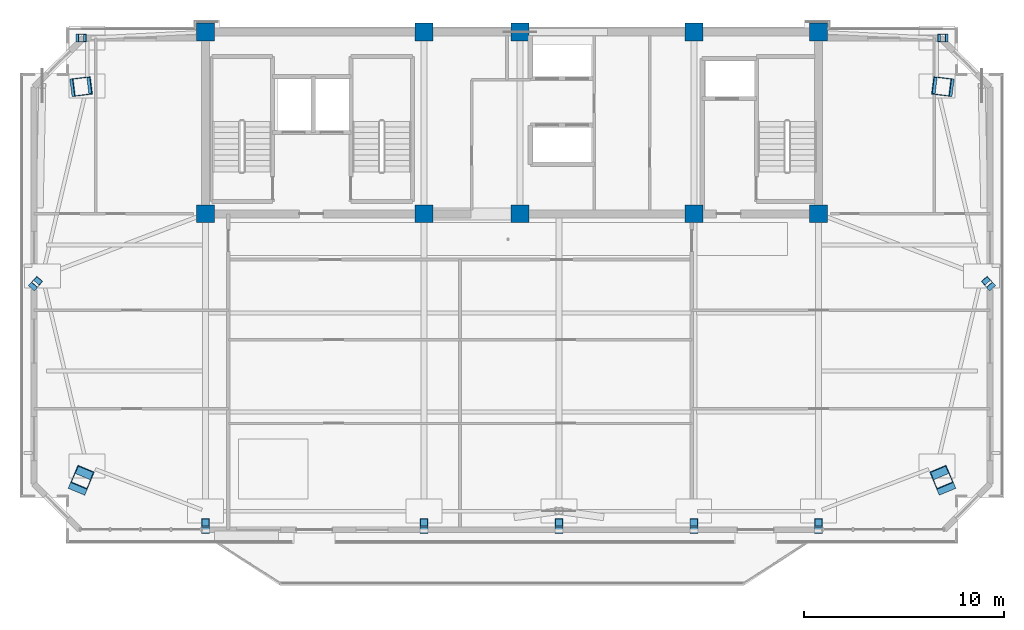
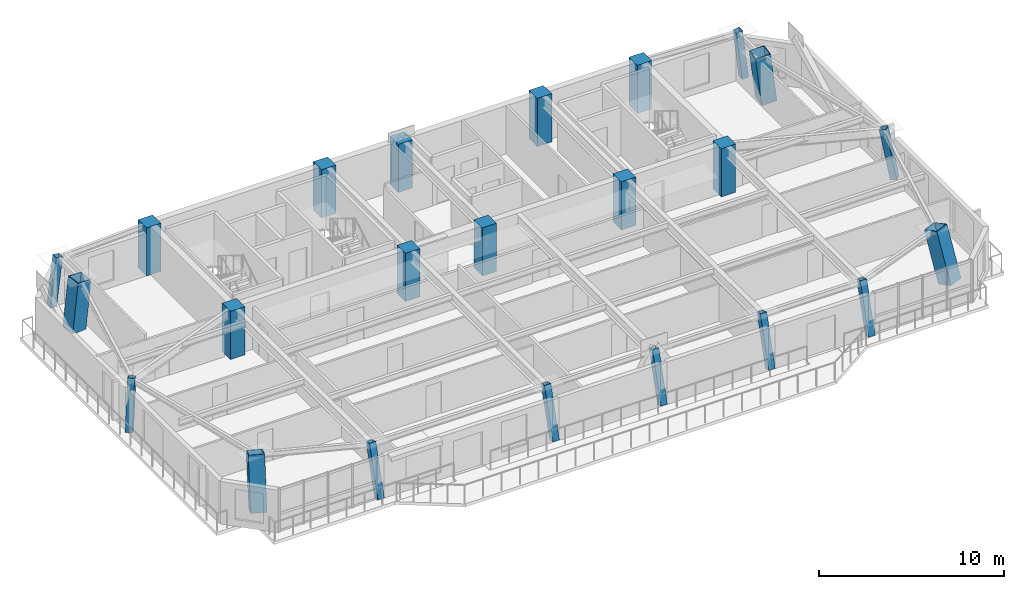
# One storey, part 1 of 13: 23 columns.
"""IFC4 building model written with IfcOpenShell, lengths in metres."""

from ifc_helpers import new_model, si_unit, direction, frame, origin, origin_2d, place, context, subcontext, project, spatial, rectangle, hollow_rectangle, extrude, source, transform, mapped, material, material_profile, profile_set, type_object, element, save


model = new_model("IFC4")

# Units and contexts
model_context = context("Model", 3, precision=1e-05, world=origin(), true_north=direction((0.0, 1.0)))
body_context = subcontext(model_context, "Body", "Model", "MODEL_VIEW")
ifc_project = project(units=[si_unit("LENGTHUNIT", "METRE"), si_unit("AREAUNIT", "SQUARE_METRE"), si_unit("VOLUMEUNIT", "CUBIC_METRE"), si_unit("PLANEANGLEUNIT", "RADIAN"), si_unit("MASSUNIT", "GRAM", prefix="KILO")], contexts=[model_context])

# Site, building, storey
site_placement = place(None, origin())
site = spatial("IfcSite", under=ifc_project, at=site_placement, CompositionType="ELEMENT")
building_placement = place(site_placement, origin())
building = spatial("IfcBuilding", under=site, at=building_placement, Name="Giltprow Tower", CompositionType="ELEMENT")
storey_placement = place(building_placement, frame((0.0, 0.0, 332.300048828125)))
storey = spatial("IfcBuildingStorey", under=building, at=storey_placement, Name="L86", CompositionType="ELEMENT", Elevation=332.300048828125)

# Columns
ifc_material_1 = material(Name="Concrete C45", Category="concrete")
ifc_material_profile_1 = material_profile(ifc_material_1, rectangle(XDim=0.89990234375, YDim=0.89990234375, at=origin_2d()), Name="RC 900x900")
ifc_profile_set_1 = profile_set([ifc_material_profile_1], Name="Concrete C45")
column_type_1 = type_object("IfcColumnType", Name="PIL-RC-900-C45", PredefinedType="PILASTER", material=ifc_profile_set_1)
shared_shape_1 = source(origin(), body_context, "Body", "SweptSolid", [
    extrude(rectangle(XDim=0.89990234375, YDim=0.89990234375, at=origin_2d()), origin(), (0.0, 0.0, 1.0), 3.18505859375),
])
for number, where, z_axis, x_axis, name in (
    (1, (19.85009765625, 37.449951171875, 0.0), (0.0, 0.0, 1.0), (1.0, 0.0, 0.0), "L86 Core Boundary Pilaster 1-1"),
    (2, (19.85009765625, 46.550048828125, 0.0), (0.0, 0.0, 1.0), (1.0, 0.0, 0.0), "L86 Core Boundary Pilaster 1-2"),
    (3, (30.800048828125, 37.449951171875, 0.0), (0.0, 0.0, 1.0), (1.0, 0.0, 0.0), "L86 Core Boundary Pilaster 2-1"),
    (4, (30.800048828125, 46.550048828125, 0.0), (0.0, 0.0, 1.0), (1.0, 0.0, 0.0), "L86 Core Boundary Pilaster 2-2"),
    (5, (35.60009765625, 37.449951171875, 0.0), (0.0, 0.0, 1.0), (1.0, 0.0, 0.0), "L86 Core Boundary Pilaster 3-1"),
    (6, (35.60009765625, 46.550048828125, 0.0), (0.0, 0.0, 1.0), (1.0, 0.0, 0.0), "L86 Core Boundary Pilaster 3-2"),
    (7, (44.300048828125, 37.449951171875, 0.0), (0.0, 0.0, 1.0), (1.0, 0.0, 0.0), "L86 Core Boundary Pilaster 4-1"),
    (8, (44.300048828125, 46.550048828125, 0.0), (0.0, 0.0, 1.0), (1.0, 0.0, 0.0), "L86 Core Boundary Pilaster 4-2"),
    (9, (50.550048828125, 37.449951171875, 0.0), (0.0, 0.0, 1.0), (1.0, 0.0, 0.0), "L86 Core Boundary Pilaster 5-1"),
    (10, (50.550048828125, 46.550048828125, 0.0), (0.0, 0.0, 1.0), (1.0, 0.0, 0.0), "L86 Core Boundary Pilaster 5-2"),
):
    element("IfcColumn", number, at=place(storey_placement, frame(where, z_axis=z_axis, x_axis=x_axis)), inside=storey, type_object=column_type_1, Name=name, PredefinedType="PILASTER", context=body_context, shape_type="MappedRepresentation", body=[
        mapped(shared_shape_1, transform((0.0, 0.0, 0.0), x_axis=(1.0, 0.0, 0.0), y_axis=(0.0, 1.0, 0.0), z_axis=(0.0, 0.0, 1.0), scale=1.0)),
    ])
ifc_material_2 = material(Name="Structural steel Q420GJC", Category="steel")
ifc_material_profile_2 = material_profile(ifc_material_2, hollow_rectangle(XDim=0.89990234375, YDim=0.89990234375, WallThickness=0.0400390625, at=origin_2d()), Name="BOX 900x900x40")
ifc_profile_set_2 = profile_set([ifc_material_profile_2], Name="Structural steel Q420GJC")
column_type_2 = type_object("IfcColumnType", Name="COL-BOX-900x900x40", PredefinedType="COLUMN", material=ifc_profile_set_2)
shared_shape_2 = source(origin(), body_context, "Body", "SweptSolid", [
    extrude(hollow_rectangle(XDim=0.89990234375, YDim=0.89990234375, WallThickness=0.0400390625, at=origin_2d()), origin(), (0.0, 0.0, 1.0), 3.32666015625),
])
column_1_placement = place(storey_placement, frame((56.839111328125, 23.927978515625, 0.0), z_axis=(-0.111258447517, 0.266330412954, 0.957439120254), x_axis=(-0.922722971107, -0.38546377079, 0.0)))
element("IfcColumn", 11, at=column_1_placement, inside=storey, type_object=column_type_2, Name="L86 Mega-Column MC_SE", PredefinedType="COLUMN", context=body_context, shape_type="MappedRepresentation", body=[
    mapped(shared_shape_2, transform((0.0, 0.0, 0.0), x_axis=(1.0, 0.0, 0.0), y_axis=(0.0, 1.0, 0.0), z_axis=(0.0, 0.0, 1.0), scale=1.0)),
])
shared_shape_3 = source(origin(), body_context, "Body", "SweptSolid", [
    extrude(hollow_rectangle(XDim=0.89990234375, YDim=0.89990234375, WallThickness=0.0400390625, at=origin_2d()), origin(), (0.0, 0.0, 1.0), 3.206787109375),
])
for number, where, z_axis, x_axis, name in (
    (12, (13.56201171875, 43.80810546875, 0.0), (0.115040045039, 0.01431338747, 0.993257728375), (-0.1234688995, 0.99234844226, 0.0), "L86 Mega-Column MC_NW"),
    (13, (56.839111328125, 43.80810546875, 0.0), (-0.1154156576, 0.01431275965, 0.993214161645), (-0.123067857845, -0.992398257942, 0.0), "L86 Mega-Column MC_NE"),
):
    element("IfcColumn", number, at=place(storey_placement, frame(where, z_axis=z_axis, x_axis=x_axis)), inside=storey, type_object=column_type_2, Name=name, PredefinedType="COLUMN", context=body_context, shape_type="MappedRepresentation", body=[
        mapped(shared_shape_3, transform((0.0, 0.0, 0.0), x_axis=(1.0, 0.0, 0.0), y_axis=(0.0, 1.0, 0.0), z_axis=(0.0, 0.0, 1.0), scale=1.0)),
    ])
ifc_material_3 = material(Name="Structural steel Q355B", Category="steel")
ifc_material_profile_3 = material_profile(ifc_material_3, hollow_rectangle(XDim=0.39990234375, YDim=0.39990234375, WallThickness=0.02001953125, at=origin_2d()), Name="BOX 400x400x20")
ifc_profile_set_3 = profile_set([ifc_material_profile_3], Name="Structural steel Q355B")
column_type_3 = type_object("IfcColumnType", Name="COL-BOX-400x400x20", PredefinedType="COLUMN", material=ifc_profile_set_3)
shared_shape_4 = source(origin(), body_context, "Body", "SweptSolid", [
    extrude(hollow_rectangle(XDim=0.39990234375, YDim=0.39990234375, WallThickness=0.02001953125, at=origin_2d()), origin(), (0.0, 0.0, 1.0), 3.318603515625),
])
for number, where, z_axis, x_axis, name in (
    (14, (19.85009765625, 21.635986328125, 0.0), (0.0, 0.280875615119, 0.959744178847), (-1.0, 0.0, 0.0), "L86 Perimeter Column S1"),
    (15, (30.800048828125, 21.635986328125, 0.0), (0.0, 0.280875615119, 0.959744178847), (-1.0, 0.0, 0.0), "L86 Perimeter Column S2"),
    (16, (37.550048828125, 21.635986328125, 0.0), (0.0, 0.280875615119, 0.959744178847), (-1.0, 0.0, 0.0), "L86 Perimeter Column S_MID"),
    (17, (44.300048828125, 21.635986328125, 0.0), (0.0, 0.280875615119, 0.959744178847), (-1.0, 0.0, 0.0), "L86 Perimeter Column S3"),
    (18, (50.550048828125, 21.635986328125, 0.0), (0.0, 0.280875615119, 0.959744178847), (-1.0, 0.0, 0.0), "L86 Perimeter Column S4"),
):
    element("IfcColumn", number, at=place(storey_placement, frame(where, z_axis=z_axis, x_axis=x_axis)), inside=storey, type_object=column_type_3, Name=name, PredefinedType="COLUMN", context=body_context, shape_type="MappedRepresentation", body=[
        mapped(shared_shape_4, transform((0.0, 0.0, 0.0), x_axis=(1.0, 0.0, 0.0), y_axis=(0.0, 1.0, 0.0), z_axis=(0.0, 0.0, 1.0), scale=1.0)),
    ])
shared_shape_5 = source(origin(), body_context, "Body", "SweptSolid", [
    extrude(hollow_rectangle(XDim=0.39990234375, YDim=0.39990234375, WallThickness=0.02001953125, at=origin_2d()), origin(), (0.0, 0.0, 1.0), 3.24560546875),
])
column_2_placement = place(storey_placement, frame((11.27001953125, 33.867919921875, 0.0), z_axis=(0.127876528395, 0.143597819239, 0.981339523201), x_axis=(-0.746804669772, 0.665043446104, 0.0)))
element("IfcColumn", 19, at=column_2_placement, inside=storey, type_object=column_type_3, Name="L86 Perimeter Column W_MID", PredefinedType="COLUMN", context=body_context, shape_type="MappedRepresentation", body=[
    mapped(shared_shape_5, transform((0.0, 0.0, 0.0), x_axis=(1.0, 0.0, 0.0), y_axis=(0.0, 1.0, 0.0), z_axis=(0.0, 0.0, 1.0), scale=1.0)),
])
shared_shape_6 = source(origin(), body_context, "Body", "SweptSolid", [
    extrude(hollow_rectangle(XDim=0.39990234375, YDim=0.39990234375, WallThickness=0.02001953125, at=origin_2d()), origin(), (0.0, 0.0, 1.0), 3.206298828125),
])
column_3_placement = place(storey_placement, frame((13.56201171875, 46.25, 0.0), z_axis=(0.115051831153, 0.0, 0.993359489887), x_axis=(0.0, 1.0, 0.0)))
element("IfcColumn", 20, at=column_3_placement, inside=storey, type_object=column_type_3, Name="L86 Perimeter Column N_W", PredefinedType="COLUMN", context=body_context, shape_type="MappedRepresentation", body=[
    mapped(shared_shape_6, transform((0.0, 0.0, 0.0), x_axis=(1.0, 0.0, 0.0), y_axis=(0.0, 1.0, 0.0), z_axis=(0.0, 0.0, 1.0), scale=1.0)),
])
shared_shape_7 = source(origin(), body_context, "Body", "SweptSolid", [
    extrude(hollow_rectangle(XDim=0.89990234375, YDim=0.89990234375, WallThickness=0.0400390625, at=origin_2d()), origin(), (0.0, 0.0, 1.0), 3.326416015625),
])
column_4_placement = place(storey_placement, frame((13.56201171875, 23.927978515625, 0.0), z_axis=(0.110896020197, 0.266341268892, 0.957478146586), x_axis=(-0.92317473482, 0.384380552305, 0.0)))
element("IfcColumn", 21, at=column_4_placement, inside=storey, type_object=column_type_2, Name="L86 Mega-Column MC_SW", PredefinedType="COLUMN", context=body_context, shape_type="MappedRepresentation", body=[
    mapped(shared_shape_7, transform((0.0, 0.0, 0.0), x_axis=(1.0, 0.0, 0.0), y_axis=(0.0, 1.0, 0.0), z_axis=(0.0, 0.0, 1.0), scale=1.0)),
])
shared_shape_8 = source(origin(), body_context, "Body", "SweptSolid", [
    extrude(hollow_rectangle(XDim=0.39990234375, YDim=0.39990234375, WallThickness=0.02001953125, at=origin_2d()), origin(), (0.0, 0.0, 1.0), 3.245849609375),
])
column_5_placement = place(storey_placement, frame((59.131103515625, 33.867919921875, 0.0), z_axis=(-0.128172477041, 0.143592287953, 0.981301722698), x_axis=(-0.746027795602, -0.665914805504, 0.0)))
element("IfcColumn", 22, at=column_5_placement, inside=storey, type_object=column_type_3, Name="L86 Perimeter Column E_MID", PredefinedType="COLUMN", context=body_context, shape_type="MappedRepresentation", body=[
    mapped(shared_shape_8, transform((0.0, 0.0, 0.0), x_axis=(1.0, 0.0, 0.0), y_axis=(0.0, 1.0, 0.0), z_axis=(0.0, 0.0, 1.0), scale=1.0)),
])
shared_shape_9 = source(origin(), body_context, "Body", "SweptSolid", [
    extrude(hollow_rectangle(XDim=0.39990234375, YDim=0.39990234375, WallThickness=0.02001953125, at=origin_2d()), origin(), (0.0, 0.0, 1.0), 3.20654296875),
])
column_6_placement = place(storey_placement, frame((56.839111328125, 46.25, 0.0), z_axis=(-0.115427481159, 0.0, 0.993315909765), x_axis=(0.0, -1.0, 0.0)))
element("IfcColumn", 23, at=column_6_placement, inside=storey, type_object=column_type_3, Name="L86 Perimeter Column N_E", PredefinedType="COLUMN", context=body_context, shape_type="MappedRepresentation", body=[
    mapped(shared_shape_9, transform((0.0, 0.0, 0.0), x_axis=(1.0, 0.0, 0.0), y_axis=(0.0, 1.0, 0.0), z_axis=(0.0, 0.0, 1.0), scale=1.0)),
])

save(model, "model.ifc")
